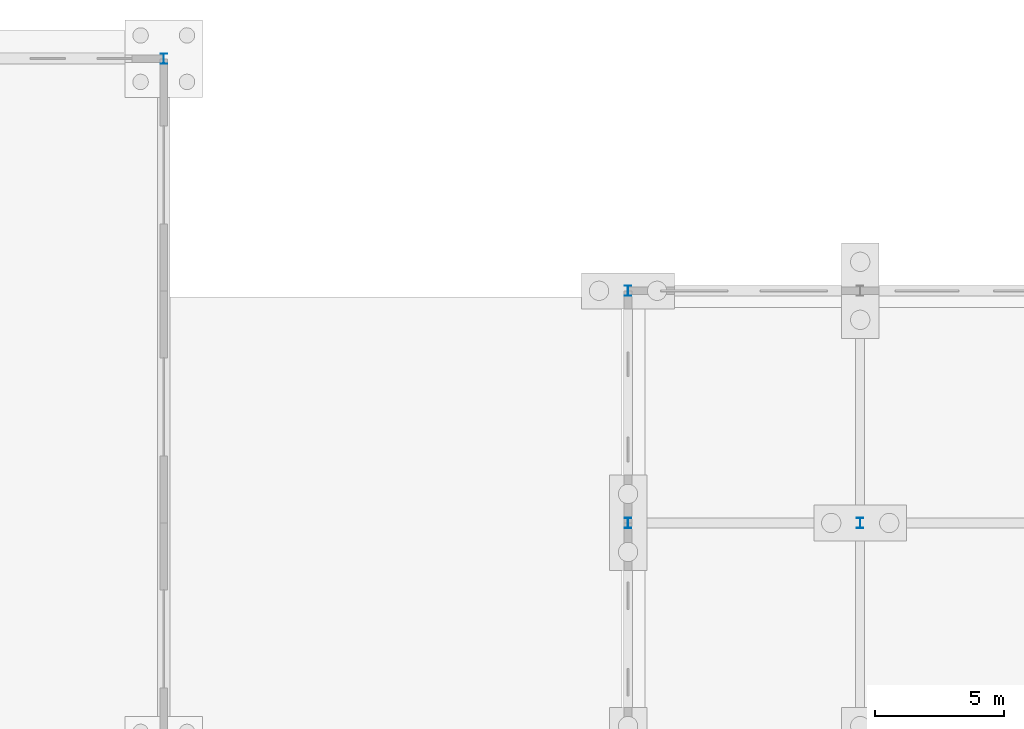
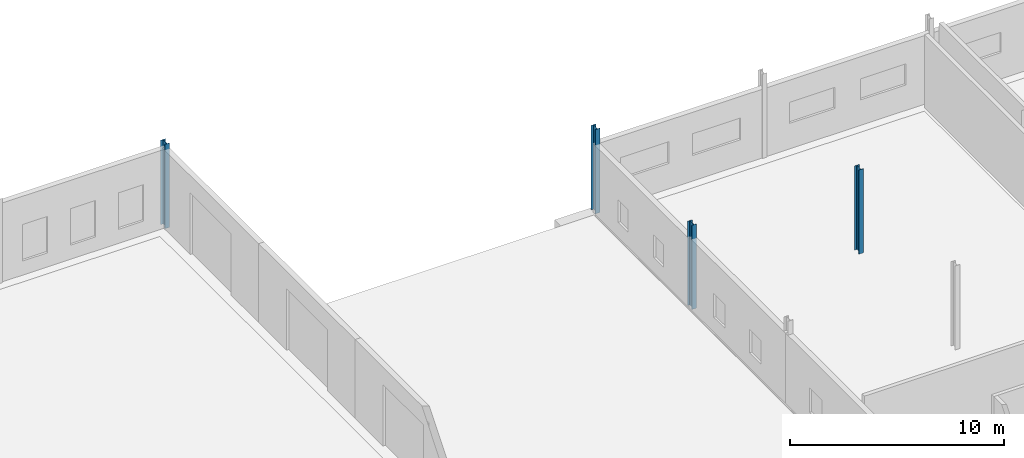
# One storey, part 49 of 112: 4 columns.
"""IFC4 building model written with IfcOpenShell, lengths in metres."""

import ifcopenshell
import ifcopenshell.guid

model = None  # the IFC model being written
_history = None  # IfcOwnerHistory: only IFC2X3 demands one
_inside = {}  # id of a spatial element -> (the spatial element, [elements in it])
_under = {}  # id of a project, library or spatial element -> (it, [spatial elements below it])
_declared = {}  # id of a project -> (the project, [libraries it declares])
_typed = {}  # id of a type object -> (the type object, [elements of that type])
_made_of = {}  # id of a material, layer set ... -> (it, [elements and type objects made of it])


def new_model(schema):
    """Start an empty IFC model of exactly this schema.

    Asked for "IFC4X3", IfcOpenShell would pick the latest addendum, in which some entities
    have other attributes; the version numbers below select the first issue.
    IFC2X3 requires an IfcOwnerHistory on every rooted entity: one is made here for all.
    """
    global model, _history
    if schema == "IFC4X3":
        model = ifcopenshell.file(schema_version=(4, 3, 0, 0))
    else:
        model = ifcopenshell.file(schema=schema)
    _inside.clear()
    _under.clear()
    _declared.clear()
    _typed.clear()
    _made_of.clear()
    _history = None
    if model.schema == "IFC2X3":
        org = make("IfcOrganization", Name="unknown")
        user = make(
            "IfcPersonAndOrganization",
            ThePerson=make("IfcPerson", FamilyName="unknown"),
            TheOrganization=org,
        )
        app = make(
            "IfcApplication",
            ApplicationDeveloper=org,
            Version="unknown",
            ApplicationFullName="unknown",
            ApplicationIdentifier="unknown",
        )
        _history = make(
            "IfcOwnerHistory",
            OwningUser=user,
            OwningApplication=app,
            ChangeAction="ADDED",
            CreationDate=0,
        )
    return model


def make(cls, **values):
    """One entity of the class cls with the attributes given. An attribute that is None is left unset."""
    return model.create_entity(
        cls, **{name: value for name, value in values.items() if value is not None}
    )


def rooted(cls, **values):
    """An entity with a GlobalId (a new one), such as an element, a storey or a relation."""
    return make(cls, GlobalId=ifcopenshell.guid.new(), OwnerHistory=_history, **values)


def si_unit(unit_type, name, prefix=None):
    """IfcSIUnit, for example si_unit("LENGTHUNIT", "METRE", prefix="MILLI")."""
    return make("IfcSIUnit", UnitType=unit_type, Prefix=prefix, Name=name)


def assignment(units):
    """IfcUnitAssignment: the units of a project."""
    return None if units is None else make("IfcUnitAssignment", Units=units)


def point(xyz):
    """IfcCartesianPoint."""
    return None if xyz is None else make("IfcCartesianPoint", Coordinates=xyz)


def direction(xyz):
    """IfcDirection."""
    return None if xyz is None else make("IfcDirection", DirectionRatios=xyz)


def frame(location, z_axis=None, x_axis=None):
    """IfcAxis2Placement3D, a coordinate frame: its origin and axes. An axis left out is left unset."""
    return make(
        "IfcAxis2Placement3D",
        Location=point(location),
        Axis=direction(z_axis),
        RefDirection=direction(x_axis),
    )


def frame_2d(location, x_axis=None):
    """IfcAxis2Placement2D, a coordinate frame in the plane: its origin and x axis."""
    return make(
        "IfcAxis2Placement2D", Location=point(location), RefDirection=direction(x_axis)
    )


def origin():
    """The frame at (0, 0, 0) with its axes left unset."""
    return frame((0.0, 0.0, 0.0))


def origin_2d():
    """The frame at (0, 0) in the plane with its x axis left unset."""
    return frame_2d((0.0, 0.0))


def place(relative_to, where):
    """IfcLocalPlacement: puts the frame where relative to a parent placement (None: the world)."""
    return make(
        "IfcLocalPlacement", PlacementRelTo=relative_to, RelativePlacement=where
    )


def context(
    kind, dimensions, precision=None, world=None, true_north=None, identifier=None
):
    """IfcGeometricRepresentationContext, for example the 3D "Model" context."""
    return make(
        "IfcGeometricRepresentationContext",
        ContextIdentifier=identifier,
        ContextType=kind,
        CoordinateSpaceDimension=dimensions,
        Precision=precision,
        WorldCoordinateSystem=world,
        TrueNorth=true_north,
    )


def subcontext(parent, identifier, kind, view, scale=None):
    """IfcGeometricRepresentationSubContext, for example "Body" below "Model"."""
    return make(
        "IfcGeometricRepresentationSubContext",
        ContextIdentifier=identifier,
        ContextType=kind,
        ParentContext=parent,
        TargetScale=scale,
        TargetView=view,
    )


def project(units=None, contexts=None):
    """IfcProject with its units and contexts."""
    return rooted(
        "IfcProject",
        Name="project",
        RepresentationContexts=contexts,
        UnitsInContext=assignment(units),
    )


def spatial(cls, under=None, at=None, **own):
    """A site, building, storey or space (cls), placed at a placement, below another one or the project."""
    s = rooted(cls, ObjectPlacement=at, **own)
    if under is not None:
        _under.setdefault(under.id(), (under, []))[1].append(s)
    return s


def profile(cls, at=None, kind="AREA", **sizes):
    """A parametric profile (cls). Its sizes go by their IFC names, for example OverallWidth=200.0."""
    return make(cls, ProfileType=kind, Position=at, **sizes)


def i_section(**sizes):
    """IfcIShapeProfileDef."""
    return profile("IfcIShapeProfileDef", **sizes)


def extrude(swept, where, along, depth):
    """IfcExtrudedAreaSolid: the profile swept, set in the frame where, extruded along a direction by depth."""
    return make(
        "IfcExtrudedAreaSolid",
        SweptArea=swept,
        Position=where,
        ExtrudedDirection=direction(along),
        Depth=depth,
    )


def shape(context_of_items, identifier, shape_type, items):
    """IfcShapeRepresentation: the items that make up one representation, for example the "Body"."""
    return make(
        "IfcShapeRepresentation",
        ContextOfItems=context_of_items,
        RepresentationIdentifier=identifier,
        RepresentationType=shape_type,
        Items=items,
    )


def material(Name=None, Category=None):
    """IfcMaterial."""
    return make("IfcMaterial", Name=Name, Category=Category)


def material_profile(
    of_material, cross_section, Name=None, Category=None, Priority=None
):
    """IfcMaterialProfile: a cross section and its material."""
    return make(
        "IfcMaterialProfile",
        Name=Name,
        Material=of_material,
        Profile=cross_section,
        Priority=Priority,
        Category=Category,
    )


def profile_set(profiles, Name=None, composite=None):
    """IfcMaterialProfileSet."""
    return make(
        "IfcMaterialProfileSet",
        Name=Name,
        MaterialProfiles=profiles,
        CompositeProfile=composite,
    )


def made_of(thing, what):
    """Note that an element or type object is made of a material, layer set ...; save() writes the relation."""
    if what is not None:
        _made_of.setdefault(what.id(), (what, []))[1].append(thing)
    return thing


def type_object(cls, material=None, **own):
    """A type object (cls), such as IfcWallType, which elements share."""
    return made_of(rooted(cls, **own), material)


def element(
    cls,
    number,
    at=None,
    inside=None,
    cuts=None,
    type_object=None,
    material=None,
    context=None,
    identifier="Body",
    shape_type=None,
    held_by="IfcProductDefinitionShape",
    body=None,
    shapes=None,
    **own,
):
    """One element of the class cls, such as IfcWall. Its Tag is "e" and its number.

    at: its placement. inside: the storey or other place that contains it. cuts: it is an
    opening in that element (IfcRelVoidsElement). A single representation is given by context,
    identifier, shape_type and body (its items); several are given by shapes. held_by: the class
    of the entity that holds the representations. save() writes the other relations.
    """
    e = rooted(cls, Tag="e%d" % number, ObjectPlacement=at, **own)
    if body is not None:
        shapes = [shape(context, identifier, shape_type, body)]
    if shapes is not None:
        e.Representation = make(held_by, Representations=shapes)
    if inside is not None:
        _inside.setdefault(inside.id(), (inside, []))[1].append(e)
    if cuts is not None:
        rooted(
            "IfcRelVoidsElement", RelatingBuildingElement=cuts, RelatedOpeningElement=e
        )
    if type_object is not None:
        _typed.setdefault(type_object.id(), (type_object, []))[1].append(e)
    return made_of(e, material)


def aggregate(whole, parts):
    """IfcRelAggregates: a whole, such as a stair, and the parts it consists of."""
    return rooted("IfcRelAggregates", RelatingObject=whole, RelatedObjects=parts)


def save(model, path):
    """Write the relations noted so far, then the file.

    IfcRelAggregates (storeys below a building ...), IfcRelContainedInSpatialStructure (elements
    in a storey), IfcRelDefinesByType, IfcRelAssociatesMaterial and IfcRelDeclares: one each for
    every whole, place, type object, material and project.
    """
    for whole, parts in _under.values():
        aggregate(whole, parts)
    for where, things in _inside.values():
        rooted(
            "IfcRelContainedInSpatialStructure",
            RelatedElements=things,
            RelatingStructure=where,
        )
    for kind, things in _typed.values():
        rooted("IfcRelDefinesByType", RelatedObjects=things, RelatingType=kind)
    for what, things in _made_of.values():
        rooted("IfcRelAssociatesMaterial", RelatedObjects=things, RelatingMaterial=what)
    for by, libraries in _declared.values():
        rooted("IfcRelDeclares", RelatingContext=by, RelatedDefinitions=libraries)
    model.write(path)


model = new_model("IFC4")

# Units and contexts
model_context = context("Model", 3, precision=1e-05, world=origin(), true_north=direction((0.0, 1.0)))
body_context = subcontext(model_context, "Body", "Model", "MODEL_VIEW")
ifc_project = project(units=[si_unit("LENGTHUNIT", "METRE"), si_unit("AREAUNIT", "SQUARE_METRE"), si_unit("VOLUMEUNIT", "CUBIC_METRE"), si_unit("PLANEANGLEUNIT", "RADIAN"), si_unit("MASSUNIT", "GRAM", prefix="KILO")], contexts=[model_context])

# Site, building, storey
site_placement = place(None, origin())
site = spatial("IfcSite", under=ifc_project, at=site_placement, CompositionType="ELEMENT")
building_placement = place(site_placement, origin())
building = spatial("IfcBuilding", under=site, at=building_placement, Name="Tharagai Park Tramway Depot", CompositionType="ELEMENT")
storey_placement = place(building_placement, origin())
storey = spatial("IfcBuildingStorey", under=building, at=storey_placement, Name="L00", CompositionType="ELEMENT", Elevation=0.0)

# Columns
ifc_material = material(Name="Steel E350", Category="steel")
ifc_material_profile = material_profile(ifc_material, i_section(OverallWidth=0.25, OverallDepth=0.39990234375, WebThickness=0.010498046875, FlangeThickness=0.0126953125, FilletRadius=0.013916015625, at=origin_2d()), Name="ISHB 400")
ifc_profile_set = profile_set([ifc_material_profile], Name="Steel E350")
column_type = type_object("IfcColumnType", Name="CL-06", PredefinedType="COLUMN", material=ifc_profile_set)
for number, where, z_axis, x_axis, name in (
    (1, (144.0, 144.0, 0.0), (0.0, 0.0, 1.0), (1.0, 0.0, 0.0), "L00 Structural Column CL-06 (144,144)"),
    (2, (162.0, 126.0, 0.0), (0.0, 0.0, 1.0), (1.0, 0.0, 0.0), "L00 Structural Column CL-06 (162,126)"),
    (3, (162.0, 135.0, 0.0), (0.0, 0.0, 1.0), (1.0, 0.0, 0.0), "L00 Structural Column CL-06 (162,135)"),
    (4, (171.0, 126.0, 0.0), (0.0, 0.0, 1.0), (1.0, 0.0, 0.0), "L00 Structural Column CL-06 (171,126)"),
):
    element("IfcColumn", number, at=place(storey_placement, frame(where, z_axis=z_axis, x_axis=x_axis)), inside=storey, type_object=column_type, Name=name, PredefinedType="COLUMN", context=body_context, shape_type="SweptSolid", body=[
        extrude(i_section(OverallWidth=0.25, OverallDepth=0.39990234375, WebThickness=0.010498046875, FlangeThickness=0.0126953125, FilletRadius=0.013916015625, at=origin_2d()), origin(), (0.0, 0.0, 1.0), 4.800048828125),
    ])

save(model, "model.ifc")
